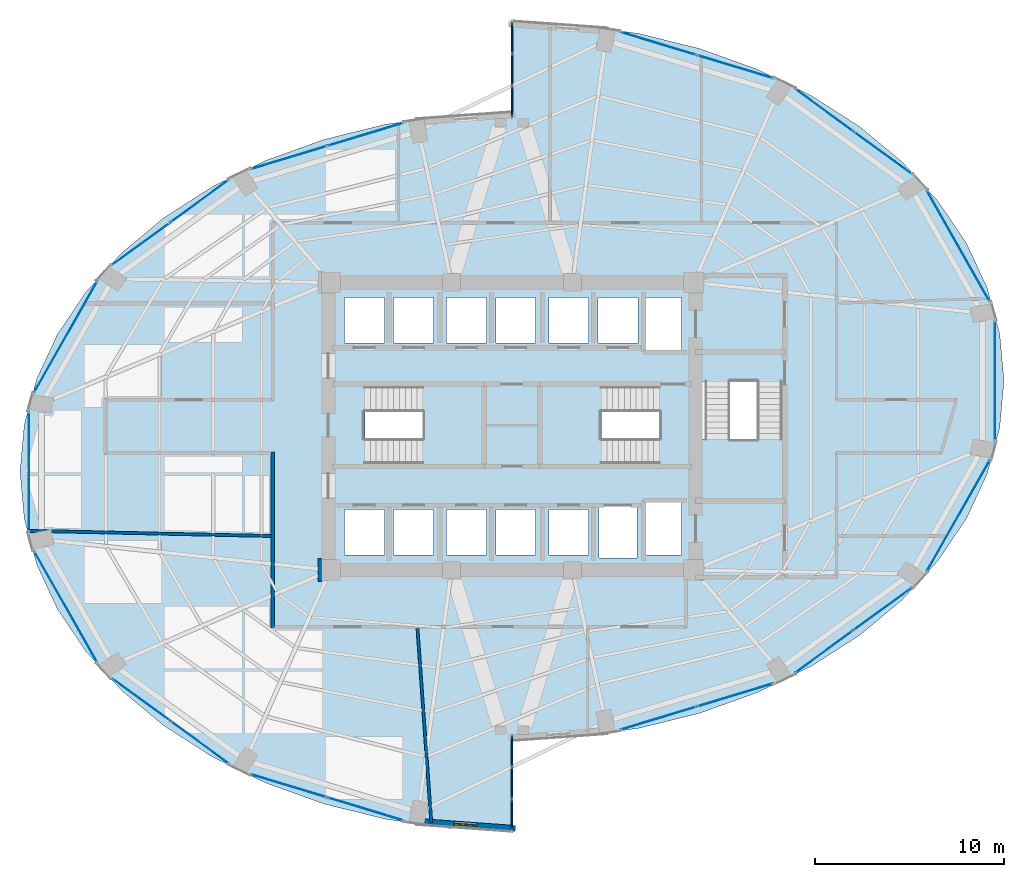
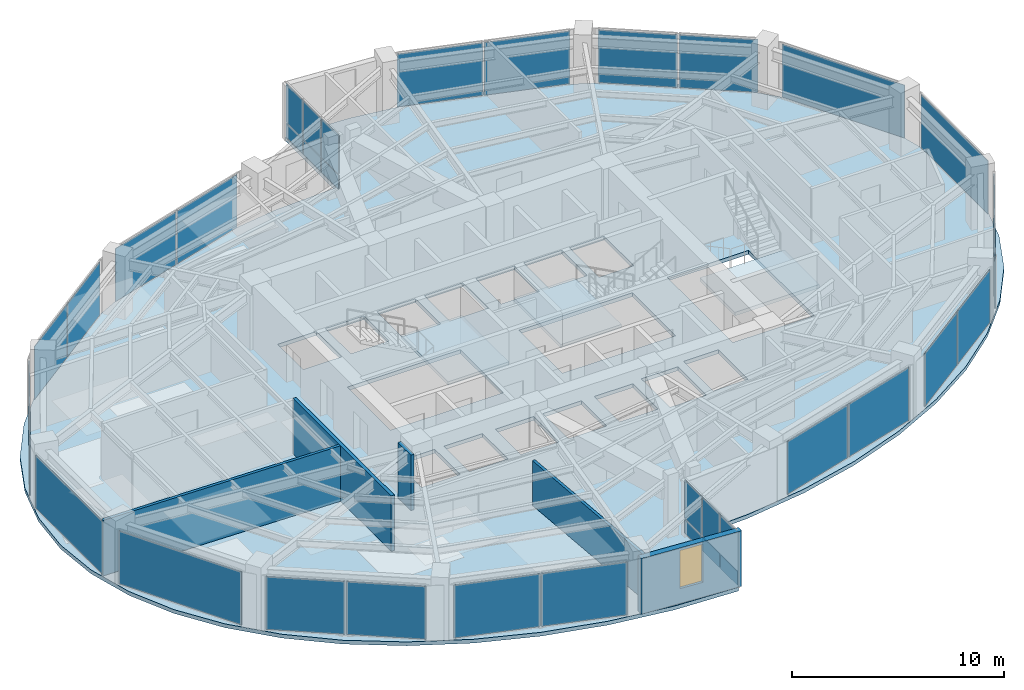
# One storey, part 19 of 24: 34 plates, 5 walls, 4 slabs, 1 window, 1 opening, 19 elements without a shape of their own.
"""IFC4 building model written with IfcOpenShell, lengths in metres."""

from ifc_helpers import new_model, si_unit, direction, frame, frame_2d, origin, origin_2d, place, context, subcontext, project, spatial, polyline, rectangle, outline, extrude, material, layer, layer_set, type_object, element, fill, aggregate, save


model = new_model("IFC4")

# Units and contexts
model_context = context("Model", 3, precision=1e-05, world=origin(), true_north=direction((0.0, 1.0)))
body_context = subcontext(model_context, "Body", "Model", "MODEL_VIEW")
ifc_project = project(units=[si_unit("LENGTHUNIT", "METRE"), si_unit("AREAUNIT", "SQUARE_METRE"), si_unit("VOLUMEUNIT", "CUBIC_METRE"), si_unit("PLANEANGLEUNIT", "RADIAN"), si_unit("MASSUNIT", "GRAM", prefix="KILO")], contexts=[model_context])

# Site, building, storey
site_placement = place(None, origin())
site = spatial("IfcSite", under=ifc_project, at=site_placement, CompositionType="ELEMENT")
building_placement = place(site_placement, origin())
building = spatial("IfcBuilding", under=site, at=building_placement, Name="Lazwardi Medical Tower", CompositionType="ELEMENT")
storey_placement = place(building_placement, frame((0.0, 0.0, 129.16796875)))
storey = spatial("IfcBuildingStorey", under=building, at=storey_placement, Name="L33", CompositionType="ELEMENT", Elevation=129.16796875)

# Curtain wall, plates
ifc_material_1 = material(Name="Anodised bronze aluminium and solar control glazing", Category="aluminium")
ifc_layer_1 = layer(ifc_material_1, 0.195068359375)
ifc_layer_set_1 = layer_set([ifc_layer_1], Name="Anodised bronze aluminium and solar control glazing")
curtain_wall_type_1 = type_object("IfcCurtainWallType", Name="CW-SYS-03", PredefinedType="NOTDEFINED", material=ifc_layer_set_1)
curtain_wall_1_placement = place(storey_placement, origin())
curtain_wall_1 = element("IfcCurtainWall", 1, at=curtain_wall_1_placement, inside=storey, type_object=curtain_wall_type_1, Name="L33 Unitised bronze curtain wall CW-03", PredefinedType="NOTDEFINED")
ifc_material_2 = material(Name="Low-e bronze solar control double glazing", Category="glass")
ifc_layer_2 = layer(ifc_material_2, 0.035888671875)
ifc_layer_set_2 = layer_set([ifc_layer_2], Name="Low-e bronze solar control double glazing")
plate_type_1 = type_object("IfcPlateType", Name="PLT-GLZ-01", PredefinedType="CURTAIN_PANEL", material=ifc_layer_set_2)
plate_1_placement = place(storey_placement, frame((43.73974609375, 12.573486328125, 0.0751953125), z_axis=(0.0, 0.0, 1.0), x_axis=(0.957216170558, 0.28937381157, 0.0)))
plate_1 = element("IfcPlate", 2, at=plate_1_placement, type_object=plate_type_1, Name="CW-03 panel 1.1", PredefinedType="CURTAIN_PANEL", context=body_context, shape_type="SweptSolid", body=[
    extrude(rectangle(XDim=4.16552734375, YDim=0.035888671875, at=origin_2d()), origin(), (0.0, 0.0, 1.0), 3.048095703125),
])
plate_2_placement = place(storey_placement, frame((47.798828125, 13.800537109375, 0.0751953125), z_axis=(0.0, 0.0, 1.0), x_axis=(0.957216170558, 0.28937381157, 0.0)))
plate_2 = element("IfcPlate", 3, at=plate_2_placement, type_object=plate_type_1, Name="CW-03 panel 2.1", PredefinedType="CURTAIN_PANEL", context=body_context, shape_type="SweptSolid", body=[
    extrude(rectangle(XDim=4.16552734375, YDim=0.035888671875, at=origin_2d()), origin(), (0.0, 0.0, 1.0), 3.048095703125),
])
aggregate(curtain_wall_1, [plate_1, plate_2])

curtain_wall_2_placement = place(storey_placement, origin())
curtain_wall_2 = element("IfcCurtainWall", 4, at=curtain_wall_2_placement, inside=storey, type_object=curtain_wall_type_1, Name="L33 Unitised bronze curtain wall CW-03", PredefinedType="NOTDEFINED")
plate_3_placement = place(storey_placement, frame((52.4990234375, 16.093017578125, 0.0751953125), z_axis=(0.0, 0.0, 1.0), x_axis=(0.807745837639, 0.589530882802, 0.0)))
plate_3 = element("IfcPlate", 5, at=plate_3_placement, type_object=plate_type_1, Name="CW-03 panel 1.1", PredefinedType="CURTAIN_PANEL", context=body_context, shape_type="SweptSolid", body=[
    extrude(rectangle(XDim=3.767578125, YDim=0.035888671875, at=origin_2d()), origin(), (0.0, 0.0, 1.0), 3.048095703125),
])
plate_4_placement = place(storey_placement, frame((55.60302734375, 18.3583984375, 0.0751953125), z_axis=(0.0, 0.0, 1.0), x_axis=(0.807745837639, 0.589530882802, 0.0)))
plate_4 = element("IfcPlate", 6, at=plate_4_placement, type_object=plate_type_1, Name="CW-03 panel 2.1", PredefinedType="CURTAIN_PANEL", context=body_context, shape_type="SweptSolid", body=[
    extrude(rectangle(XDim=3.767578125, YDim=0.035888671875, at=origin_2d()), origin(), (0.0, 0.0, 1.0), 3.048095703125),
])
aggregate(curtain_wall_2, [plate_3, plate_4])

# Curtain wall, plate
curtain_wall_3_placement = place(storey_placement, origin())
curtain_wall_3 = element("IfcCurtainWall", 7, at=curtain_wall_3_placement, inside=storey, type_object=curtain_wall_type_1, Name="L33 Unitised bronze curtain wall CW-03", PredefinedType="NOTDEFINED")
plate_5_placement = place(storey_placement, frame((59.5849609375, 23.270263671875, 0.0751953125), z_axis=(0.0, 0.0, 1.0), x_axis=(0.493603140041, 0.869687265712, 0.0)))
plate_5 = element("IfcPlate", 8, at=plate_5_placement, type_object=plate_type_1, Name="CW-03 panel 1.1", PredefinedType="CURTAIN_PANEL", context=body_context, shape_type="SweptSolid", body=[
    extrude(rectangle(XDim=6.722900390625, YDim=0.035888671875, at=origin_2d()), origin(), (0.0, 0.0, 1.0), 3.048095703125),
])
aggregate(curtain_wall_3, [plate_5])

curtain_wall_4_placement = place(storey_placement, origin())
curtain_wall_4 = element("IfcCurtainWall", 9, at=curtain_wall_4_placement, inside=storey, type_object=curtain_wall_type_1, Name="L33 Unitised bronze curtain wall CW-03", PredefinedType="NOTDEFINED")
plate_6_placement = place(storey_placement, frame((61.528076171875, 30.39990234375, 0.0751953125), z_axis=(0.0, 0.0, 1.0), x_axis=(0.0, 1.0, 0.0)))
plate_6 = element("IfcPlate", 10, at=plate_6_placement, type_object=plate_type_1, Name="CW-03 panel 1.1", PredefinedType="CURTAIN_PANEL", context=body_context, shape_type="SweptSolid", body=[
    extrude(rectangle(XDim=6.31982421875, YDim=0.035888671875, at=origin_2d()), origin(), (0.0, 0.0, 1.0), 3.048095703125),
])
aggregate(curtain_wall_4, [plate_6])

curtain_wall_5_placement = place(storey_placement, origin())
curtain_wall_5 = element("IfcCurtainWall", 11, at=curtain_wall_5_placement, inside=storey, type_object=curtain_wall_type_1, Name="L33 Unitised bronze curtain wall CW-03", PredefinedType="NOTDEFINED")
plate_7_placement = place(storey_placement, frame((59.5849609375, 37.52978515625, 0.0751953125), z_axis=(0.0, 0.0, 1.0), x_axis=(-0.493603140041, 0.869687265712, 0.0)))
plate_7 = element("IfcPlate", 12, at=plate_7_placement, type_object=plate_type_1, Name="CW-03 panel 1.1", PredefinedType="CURTAIN_PANEL", context=body_context, shape_type="SweptSolid", body=[
    extrude(rectangle(XDim=6.722900390625, YDim=0.035888671875, at=origin_2d()), origin(), (0.0, 0.0, 1.0), 3.048095703125),
])
aggregate(curtain_wall_5, [plate_7])

# Curtain wall, plates
curtain_wall_6_placement = place(storey_placement, origin())
curtain_wall_6 = element("IfcCurtainWall", 13, at=curtain_wall_6_placement, inside=storey, type_object=curtain_wall_type_1, Name="L33 Unitised bronze curtain wall CW-03", PredefinedType="NOTDEFINED")
plate_8_placement = place(storey_placement, frame((55.60302734375, 42.441650390625, 0.0751953125), z_axis=(0.0, 0.0, 1.0), x_axis=(-0.807745837639, 0.589530882802, 0.0)))
plate_8 = element("IfcPlate", 14, at=plate_8_placement, type_object=plate_type_1, Name="CW-03 panel 1.1", PredefinedType="CURTAIN_PANEL", context=body_context, shape_type="SweptSolid", body=[
    extrude(rectangle(XDim=3.767578125, YDim=0.035888671875, at=origin_2d()), origin(), (0.0, 0.0, 1.0), 3.048095703125),
])
plate_9_placement = place(storey_placement, frame((52.4990234375, 44.70703125, 0.0751953125), z_axis=(0.0, 0.0, 1.0), x_axis=(-0.807745837639, 0.589530882802, 0.0)))
plate_9 = element("IfcPlate", 15, at=plate_9_placement, type_object=plate_type_1, Name="CW-03 panel 2.1", PredefinedType="CURTAIN_PANEL", context=body_context, shape_type="SweptSolid", body=[
    extrude(rectangle(XDim=3.767578125, YDim=0.035888671875, at=origin_2d()), origin(), (0.0, 0.0, 1.0), 3.048095703125),
])
aggregate(curtain_wall_6, [plate_8, plate_9])

curtain_wall_7_placement = place(storey_placement, origin())
curtain_wall_7 = element("IfcCurtainWall", 16, at=curtain_wall_7_placement, inside=storey, type_object=curtain_wall_type_1, Name="L33 Unitised bronze curtain wall CW-03", PredefinedType="NOTDEFINED")
plate_10_placement = place(storey_placement, frame((47.798828125, 46.99951171875, 0.0751953125), z_axis=(0.0, 0.0, 1.0), x_axis=(-0.957216170558, 0.28937381157, 0.0)))
plate_10 = element("IfcPlate", 17, at=plate_10_placement, type_object=plate_type_1, Name="CW-03 panel 1.1", PredefinedType="CURTAIN_PANEL", context=body_context, shape_type="SweptSolid", body=[
    extrude(rectangle(XDim=4.16552734375, YDim=0.035888671875, at=origin_2d()), origin(), (0.0, 0.0, 1.0), 3.048095703125),
])
plate_11_placement = place(storey_placement, frame((43.73974609375, 48.2265625, 0.0751953125), z_axis=(0.0, 0.0, 1.0), x_axis=(-0.957216170558, 0.28937381157, 0.0)))
plate_11 = element("IfcPlate", 18, at=plate_11_placement, type_object=plate_type_1, Name="CW-03 panel 2.1", PredefinedType="CURTAIN_PANEL", context=body_context, shape_type="SweptSolid", body=[
    extrude(rectangle(XDim=4.16552734375, YDim=0.035888671875, at=origin_2d()), origin(), (0.0, 0.0, 1.0), 3.048095703125),
])
aggregate(curtain_wall_7, [plate_10, plate_11])

curtain_wall_8_placement = place(storey_placement, origin())
curtain_wall_8 = element("IfcCurtainWall", 19, at=curtain_wall_8_placement, inside=storey, type_object=curtain_wall_type_1, Name="L33 Unitised bronze curtain wall CW-03", PredefinedType="NOTDEFINED")
plate_12_placement = place(storey_placement, frame((28.26025390625, 43.426513671875, 0.0751953125), z_axis=(0.0, 0.0, 1.0), x_axis=(-0.957216170558, -0.28937381157, 0.0)))
plate_12 = element("IfcPlate", 20, at=plate_12_placement, type_object=plate_type_1, Name="CW-03 panel 1.1", PredefinedType="CURTAIN_PANEL", context=body_context, shape_type="SweptSolid", body=[
    extrude(rectangle(XDim=4.16552734375, YDim=0.035888671875, at=origin_2d()), origin(), (0.0, 0.0, 1.0), 3.048095703125),
])
plate_13_placement = place(storey_placement, frame((24.201171875, 42.199462890625, 0.0751953125), z_axis=(0.0, 0.0, 1.0), x_axis=(-0.957216170558, -0.28937381157, 0.0)))
plate_13 = element("IfcPlate", 21, at=plate_13_placement, type_object=plate_type_1, Name="CW-03 panel 2.1", PredefinedType="CURTAIN_PANEL", context=body_context, shape_type="SweptSolid", body=[
    extrude(rectangle(XDim=4.16552734375, YDim=0.035888671875, at=origin_2d()), origin(), (0.0, 0.0, 1.0), 3.048095703125),
])
aggregate(curtain_wall_8, [plate_12, plate_13])

curtain_wall_9_placement = place(storey_placement, origin())
curtain_wall_9 = element("IfcCurtainWall", 22, at=curtain_wall_9_placement, inside=storey, type_object=curtain_wall_type_1, Name="L33 Unitised bronze curtain wall CW-03", PredefinedType="NOTDEFINED")
plate_14_placement = place(storey_placement, frame((19.5009765625, 39.906982421875, 0.0751953125), z_axis=(0.0, 0.0, 1.0), x_axis=(-0.807745837639, -0.589530882802, 0.0)))
plate_14 = element("IfcPlate", 23, at=plate_14_placement, type_object=plate_type_1, Name="CW-03 panel 1.1", PredefinedType="CURTAIN_PANEL", context=body_context, shape_type="SweptSolid", body=[
    extrude(rectangle(XDim=3.767578125, YDim=0.035888671875, at=origin_2d()), origin(), (0.0, 0.0, 1.0), 3.048095703125),
])
plate_15_placement = place(storey_placement, frame((16.39697265625, 37.6416015625, 0.0751953125), z_axis=(0.0, 0.0, 1.0), x_axis=(-0.807745837639, -0.589530882802, 0.0)))
plate_15 = element("IfcPlate", 24, at=plate_15_placement, type_object=plate_type_1, Name="CW-03 panel 2.1", PredefinedType="CURTAIN_PANEL", context=body_context, shape_type="SweptSolid", body=[
    extrude(rectangle(XDim=3.767578125, YDim=0.035888671875, at=origin_2d()), origin(), (0.0, 0.0, 1.0), 3.048095703125),
])
aggregate(curtain_wall_9, [plate_14, plate_15])

# Curtain wall, plate
curtain_wall_10_placement = place(storey_placement, origin())
curtain_wall_10 = element("IfcCurtainWall", 25, at=curtain_wall_10_placement, inside=storey, type_object=curtain_wall_type_1, Name="L33 Unitised bronze curtain wall CW-03", PredefinedType="NOTDEFINED")
plate_16_placement = place(storey_placement, frame((12.4150390625, 32.729736328125, 0.0751953125), z_axis=(0.0, 0.0, 1.0), x_axis=(-0.493603140041, -0.869687265712, 0.0)))
plate_16 = element("IfcPlate", 26, at=plate_16_placement, type_object=plate_type_1, Name="CW-03 panel 1.1", PredefinedType="CURTAIN_PANEL", context=body_context, shape_type="SweptSolid", body=[
    extrude(rectangle(XDim=6.722900390625, YDim=0.035888671875, at=origin_2d()), origin(), (0.0, 0.0, 1.0), 3.048095703125),
])
aggregate(curtain_wall_10, [plate_16])

curtain_wall_11_placement = place(storey_placement, origin())
curtain_wall_11 = element("IfcCurtainWall", 27, at=curtain_wall_11_placement, inside=storey, type_object=curtain_wall_type_1, Name="L33 Unitised bronze curtain wall CW-03", PredefinedType="NOTDEFINED")
plate_17_placement = place(storey_placement, frame((10.471923828125, 25.60009765625, 0.0751953125), z_axis=(0.0, 0.0, 1.0), x_axis=(0.0, -1.0, 0.0)))
plate_17 = element("IfcPlate", 28, at=plate_17_placement, type_object=plate_type_1, Name="CW-03 panel 1.1", PredefinedType="CURTAIN_PANEL", context=body_context, shape_type="SweptSolid", body=[
    extrude(rectangle(XDim=6.31982421875, YDim=0.035888671875, at=origin_2d()), origin(), (0.0, 0.0, 1.0), 3.048095703125),
])
aggregate(curtain_wall_11, [plate_17])

curtain_wall_12_placement = place(storey_placement, origin())
curtain_wall_12 = element("IfcCurtainWall", 29, at=curtain_wall_12_placement, inside=storey, type_object=curtain_wall_type_1, Name="L33 Unitised bronze curtain wall CW-03", PredefinedType="NOTDEFINED")
plate_18_placement = place(storey_placement, frame((12.4150390625, 18.47021484375, 0.0751953125), z_axis=(0.0, 0.0, 1.0), x_axis=(0.493603140041, -0.869687265712, 0.0)))
plate_18 = element("IfcPlate", 30, at=plate_18_placement, type_object=plate_type_1, Name="CW-03 panel 1.1", PredefinedType="CURTAIN_PANEL", context=body_context, shape_type="SweptSolid", body=[
    extrude(rectangle(XDim=6.722900390625, YDim=0.035888671875, at=origin_2d()), origin(), (0.0, 0.0, 1.0), 3.048095703125),
])
aggregate(curtain_wall_12, [plate_18])

# Curtain wall, plates
curtain_wall_13_placement = place(storey_placement, origin())
curtain_wall_13 = element("IfcCurtainWall", 31, at=curtain_wall_13_placement, inside=storey, type_object=curtain_wall_type_1, Name="L33 Unitised bronze curtain wall CW-03", PredefinedType="NOTDEFINED")
plate_19_placement = place(storey_placement, frame((16.39697265625, 13.558349609375, 0.0751953125), z_axis=(0.0, 0.0, 1.0), x_axis=(0.807745837639, -0.589530882802, 0.0)))
plate_19 = element("IfcPlate", 32, at=plate_19_placement, type_object=plate_type_1, Name="CW-03 panel 1.1", PredefinedType="CURTAIN_PANEL", context=body_context, shape_type="SweptSolid", body=[
    extrude(rectangle(XDim=3.767578125, YDim=0.035888671875, at=origin_2d()), origin(), (0.0, 0.0, 1.0), 3.048095703125),
])
plate_20_placement = place(storey_placement, frame((19.5009765625, 11.29296875, 0.0751953125), z_axis=(0.0, 0.0, 1.0), x_axis=(0.807745837639, -0.589530882802, 0.0)))
plate_20 = element("IfcPlate", 33, at=plate_20_placement, type_object=plate_type_1, Name="CW-03 panel 2.1", PredefinedType="CURTAIN_PANEL", context=body_context, shape_type="SweptSolid", body=[
    extrude(rectangle(XDim=3.767578125, YDim=0.035888671875, at=origin_2d()), origin(), (0.0, 0.0, 1.0), 3.048095703125),
])
aggregate(curtain_wall_13, [plate_19, plate_20])

curtain_wall_14_placement = place(storey_placement, origin())
curtain_wall_14 = element("IfcCurtainWall", 34, at=curtain_wall_14_placement, inside=storey, type_object=curtain_wall_type_1, Name="L33 Unitised bronze curtain wall CW-03", PredefinedType="NOTDEFINED")
plate_21_placement = place(storey_placement, frame((24.201171875, 9.00048828125, 0.0751953125), z_axis=(0.0, 0.0, 1.0), x_axis=(0.957216170558, -0.28937381157, 0.0)))
plate_21 = element("IfcPlate", 35, at=plate_21_placement, type_object=plate_type_1, Name="CW-03 panel 1.1", PredefinedType="CURTAIN_PANEL", context=body_context, shape_type="SweptSolid", body=[
    extrude(rectangle(XDim=4.16552734375, YDim=0.035888671875, at=origin_2d()), origin(), (0.0, 0.0, 1.0), 3.048095703125),
])
plate_22_placement = place(storey_placement, frame((28.26025390625, 7.7734375, 0.0751953125), z_axis=(0.0, 0.0, 1.0), x_axis=(0.957216170558, -0.28937381157, 0.0)))
plate_22 = element("IfcPlate", 36, at=plate_22_placement, type_object=plate_type_1, Name="CW-03 panel 2.1", PredefinedType="CURTAIN_PANEL", context=body_context, shape_type="SweptSolid", body=[
    extrude(rectangle(XDim=4.16552734375, YDim=0.035888671875, at=origin_2d()), origin(), (0.0, 0.0, 1.0), 3.048095703125),
])
aggregate(curtain_wall_14, [plate_21, plate_22])

ifc_layer_3 = layer(ifc_material_1, 0.2099609375)
ifc_layer_set_3 = layer_set([ifc_layer_3], Name="Anodised bronze aluminium and solar control glazing")
curtain_wall_type_2 = type_object("IfcCurtainWallType", Name="CW-SYS-06", PredefinedType="NOTDEFINED", material=ifc_layer_set_3)
curtain_wall_15_placement = place(storey_placement, origin())
curtain_wall_15 = element("IfcCurtainWall", 37, at=curtain_wall_15_placement, inside=storey, type_object=curtain_wall_type_2, Name="L33 Unitised bronze curtain wall CW-06", PredefinedType="NOTDEFINED")
ifc_material_3 = material(Name="Turquoise glazed ceramic insulated panel", Category="glass")
ifc_layer_4 = layer(ifc_material_3, 0.053955078125)
ifc_layer_set_4 = layer_set([ifc_layer_4], Name="Turquoise glazed ceramic insulated panel")
plate_type_2 = type_object("IfcPlateType", Name="PLT-TRQ-01", PredefinedType="CURTAIN_PANEL", material=ifc_layer_set_4)
plate_23_placement = place(storey_placement, frame((36.0, 48.52783203125, 0.074951171875), z_axis=(0.0, 0.0, 1.0), x_axis=(0.0, -1.0, 0.0)))
plate_23 = element("IfcPlate", 38, at=plate_23_placement, type_object=plate_type_2, Name="CW-06 panel 1.1", PredefinedType="CURTAIN_PANEL", context=body_context, shape_type="SweptSolid", body=[
    extrude(rectangle(XDim=1.59423828125, YDim=0.053955078125, at=origin_2d()), origin(), (0.0, 0.0, 1.0), 0.78759765625),
])
plate_24_placement = place(storey_placement, frame((36.0, 48.52783203125, 0.9375), z_axis=(0.0, 0.0, 1.0), x_axis=(0.0, -1.0, 0.0)))
plate_24 = element("IfcPlate", 39, at=plate_24_placement, type_object=plate_type_2, Name="CW-06 panel 1.2", PredefinedType="CURTAIN_PANEL", context=body_context, shape_type="SweptSolid", body=[
    extrude(rectangle(XDim=1.59423828125, YDim=0.053955078125, at=origin_2d()), origin(), (0.0, 0.0, 1.0), 2.185546875),
])
plate_25_placement = place(storey_placement, frame((36.0, 46.840087890625, 0.074951171875), z_axis=(0.0, 0.0, 1.0), x_axis=(0.0, -1.0, 0.0)))
plate_25 = element("IfcPlate", 40, at=plate_25_placement, type_object=plate_type_2, Name="CW-06 panel 2.1", PredefinedType="CURTAIN_PANEL", context=body_context, shape_type="SweptSolid", body=[
    extrude(rectangle(XDim=1.631591796875, YDim=0.053955078125, at=origin_2d()), origin(), (0.0, 0.0, 1.0), 0.78759765625),
])
plate_26_placement = place(storey_placement, frame((36.0, 46.840087890625, 0.9375), z_axis=(0.0, 0.0, 1.0), x_axis=(0.0, -1.0, 0.0)))
plate_26 = element("IfcPlate", 41, at=plate_26_placement, type_object=plate_type_2, Name="CW-06 panel 2.2", PredefinedType="CURTAIN_PANEL", context=body_context, shape_type="SweptSolid", body=[
    extrude(rectangle(XDim=1.631591796875, YDim=0.053955078125, at=origin_2d()), origin(), (0.0, 0.0, 1.0), 2.185546875),
])
plate_27_placement = place(storey_placement, frame((36.0, 45.152099609375, 0.074951171875), z_axis=(0.0, 0.0, 1.0), x_axis=(0.0, -1.0, 0.0)))
plate_27 = element("IfcPlate", 42, at=plate_27_placement, type_object=plate_type_2, Name="CW-06 panel 3.1", PredefinedType="CURTAIN_PANEL", context=body_context, shape_type="SweptSolid", body=[
    extrude(rectangle(XDim=1.59423828125, YDim=0.053955078125, at=origin_2d()), origin(), (0.0, 0.0, 1.0), 0.78759765625),
])
plate_28_placement = place(storey_placement, frame((36.0, 45.152099609375, 0.9375), z_axis=(0.0, 0.0, 1.0), x_axis=(0.0, -1.0, 0.0)))
plate_28 = element("IfcPlate", 43, at=plate_28_placement, type_object=plate_type_2, Name="CW-06 panel 3.2", PredefinedType="CURTAIN_PANEL", context=body_context, shape_type="SweptSolid", body=[
    extrude(rectangle(XDim=1.59423828125, YDim=0.053955078125, at=origin_2d()), origin(), (0.0, 0.0, 1.0), 2.185546875),
])
aggregate(curtain_wall_15, [plate_23, plate_24, plate_25, plate_26, plate_27, plate_28])

curtain_wall_16_placement = place(storey_placement, origin())
curtain_wall_16 = element("IfcCurtainWall", 44, at=curtain_wall_16_placement, inside=storey, type_object=curtain_wall_type_2, Name="L33 Unitised bronze curtain wall CW-06", PredefinedType="NOTDEFINED")
plate_29_placement = place(storey_placement, frame((36.0, 7.47216796875, 0.074951171875), z_axis=(0.0, 0.0, 1.0), x_axis=(0.0, 1.0, 0.0)))
plate_29 = element("IfcPlate", 45, at=plate_29_placement, type_object=plate_type_2, Name="CW-06 panel 1.1", PredefinedType="CURTAIN_PANEL", context=body_context, shape_type="SweptSolid", body=[
    extrude(rectangle(XDim=1.59423828125, YDim=0.053955078125, at=origin_2d()), origin(), (0.0, 0.0, 1.0), 0.78759765625),
])
plate_30_placement = place(storey_placement, frame((36.0, 7.47216796875, 0.9375), z_axis=(0.0, 0.0, 1.0), x_axis=(0.0, 1.0, 0.0)))
plate_30 = element("IfcPlate", 46, at=plate_30_placement, type_object=plate_type_2, Name="CW-06 panel 1.2", PredefinedType="CURTAIN_PANEL", context=body_context, shape_type="SweptSolid", body=[
    extrude(rectangle(XDim=1.59423828125, YDim=0.053955078125, at=origin_2d()), origin(), (0.0, 0.0, 1.0), 2.185546875),
])
plate_31_placement = place(storey_placement, frame((36.0, 9.159912109375, 0.074951171875), z_axis=(0.0, 0.0, 1.0), x_axis=(0.0, 1.0, 0.0)))
plate_31 = element("IfcPlate", 47, at=plate_31_placement, type_object=plate_type_2, Name="CW-06 panel 2.1", PredefinedType="CURTAIN_PANEL", context=body_context, shape_type="SweptSolid", body=[
    extrude(rectangle(XDim=1.631591796875, YDim=0.053955078125, at=origin_2d()), origin(), (0.0, 0.0, 1.0), 0.78759765625),
])
plate_32_placement = place(storey_placement, frame((36.0, 9.159912109375, 0.9375), z_axis=(0.0, 0.0, 1.0), x_axis=(0.0, 1.0, 0.0)))
plate_32 = element("IfcPlate", 48, at=plate_32_placement, type_object=plate_type_2, Name="CW-06 panel 2.2", PredefinedType="CURTAIN_PANEL", context=body_context, shape_type="SweptSolid", body=[
    extrude(rectangle(XDim=1.631591796875, YDim=0.053955078125, at=origin_2d()), origin(), (0.0, 0.0, 1.0), 2.185546875),
])
plate_33_placement = place(storey_placement, frame((36.0, 10.847900390625, 0.074951171875), z_axis=(0.0, 0.0, 1.0), x_axis=(0.0, 1.0, 0.0)))
plate_33 = element("IfcPlate", 49, at=plate_33_placement, type_object=plate_type_2, Name="CW-06 panel 3.1", PredefinedType="CURTAIN_PANEL", context=body_context, shape_type="SweptSolid", body=[
    extrude(rectangle(XDim=1.59423828125, YDim=0.053955078125, at=origin_2d()), origin(), (0.0, 0.0, 1.0), 0.78759765625),
])
plate_34_placement = place(storey_placement, frame((36.0, 10.847900390625, 0.9375), z_axis=(0.0, 0.0, 1.0), x_axis=(0.0, 1.0, 0.0)))
plate_34 = element("IfcPlate", 50, at=plate_34_placement, type_object=plate_type_2, Name="CW-06 panel 3.2", PredefinedType="CURTAIN_PANEL", context=body_context, shape_type="SweptSolid", body=[
    extrude(rectangle(XDim=1.59423828125, YDim=0.053955078125, at=origin_2d()), origin(), (0.0, 0.0, 1.0), 2.185546875),
])
aggregate(curtain_wall_16, [plate_29, plate_30, plate_31, plate_32, plate_33, plate_34])

# Stair, slab
ifc_material_4 = material(Name="Concrete C45/55", Category="concrete")
stair_type = type_object("IfcStairType", Name="STR-WRD", PredefinedType="HALF_TURN_STAIR", material=ifc_material_4)
stair_1_placement = place(storey_placement, origin())
stair_1 = element("IfcStair", 51, at=stair_1_placement, inside=storey, type_object=stair_type, Name="L33 Protected Exit Stair ST1", PredefinedType="HALF_TURN_STAIR")
ifc_layer_5 = layer(ifc_material_4, 0.199951171875)
ifc_layer_set_5 = layer_set([ifc_layer_5], Name="Concrete C45/55")
slab_type_1 = type_object("IfcSlabType", Name="SLB-LND-190", PredefinedType="LANDING", material=ifc_layer_set_5)
slab_1_placement = place(storey_placement, frame((0.0, 0.0, 1.6240234375)))
slab_1 = element("IfcSlab", 52, at=slab_1_placement, type_object=slab_type_1, Name="ST1 landing 1", PredefinedType="LANDING", context=body_context, shape_type="SweptSolid", body=[
    extrude(outline(polyline([(31.27490234375, 25.840087890625), (34.580078125, 25.840087890625), (34.580078125, 30.280029296875), (31.27490234375, 30.280029296875), (31.27490234375, 25.840087890625)])), origin(), (0.0, 0.0, 1.0), 0.199951171875),
])
aggregate(stair_1, [slab_1])

stair_2_placement = place(storey_placement, origin())
stair_2 = element("IfcStair", 53, at=stair_2_placement, inside=storey, type_object=stair_type, Name="L33 Protected Exit Stair ST2", PredefinedType="HALF_TURN_STAIR")
slab_2_placement = place(storey_placement, frame((0.0, 0.0, 1.6240234375)))
slab_2 = element("IfcSlab", 54, at=slab_2_placement, type_object=slab_type_1, Name="ST2 landing 1", PredefinedType="LANDING", context=body_context, shape_type="SweptSolid", body=[
    extrude(outline(polyline([(40.72509765625, 30.280029296875), (37.419921875, 30.280029296875), (37.419921875, 25.840087890625), (40.72509765625, 25.840087890625), (40.72509765625, 30.280029296875)])), origin(), (0.0, 0.0, 1.0), 0.199951171875),
])
aggregate(stair_2, [slab_2])

stair_3_placement = place(storey_placement, origin())
stair_3 = element("IfcStair", 55, at=stair_3_placement, inside=storey, type_object=stair_type, Name="L33 Protected Exit Stair ST3", PredefinedType="HALF_TURN_STAIR")
slab_3_placement = place(storey_placement, frame((0.0, 0.0, 1.6240234375)))
slab_3 = element("IfcSlab", 56, at=slab_3_placement, type_object=slab_type_1, Name="ST3 landing 1", PredefinedType="LANDING", context=body_context, shape_type="SweptSolid", body=[
    extrude(outline(polyline([(45.860107421875, 27.324951171875), (45.860107421875, 24.02001953125), (50.4599609375, 24.02001953125), (50.4599609375, 27.324951171875), (45.860107421875, 27.324951171875)])), origin(), (0.0, 0.0, 1.0), 0.199951171875),
])
aggregate(stair_3, [slab_3])

# Slab
ifc_material_5 = material(Name="Concrete C50/60", Category="concrete")
ifc_layer_6 = layer(ifc_material_5, 0.219970703125)
ifc_layer_set_6 = layer_set([ifc_layer_6], Name="Concrete C50/60")
slab_type_2 = type_object("IfcSlabType", Name="SLB-WRD-220", PredefinedType="FLOOR", material=ifc_layer_set_6)
slab_4_placement = place(storey_placement, frame((0.0, 0.0, -0.219970703125)))
element("IfcSlab", 57, at=slab_4_placement, inside=storey, type_object=slab_type_2, Name="Structural floor slab SF-03 L33", PredefinedType="FLOOR", context=body_context, shape_type="SweptSolid", body=[
    extrude(outline(polyline([(11.97900390625, 32.87109375), (10.885986328125, 30.517578125), (10.222412109375, 28.080078125), (10.0, 25.60009765625), (10.222412109375, 23.1201171875), (10.885986328125, 20.682373046875), (11.97900390625, 18.3291015625), (13.4833984375, 16.10009765625), (15.372802734375, 14.033447265625), (17.615234375, 12.1650390625), (20.172119140625, 10.5263671875), (23.0, 9.1455078125), (26.05029296875, 8.04638671875), (29.270751953125, 7.247314453125), (32.606201171875, 6.762451171875), (36.0, 6.60009765625), (36.0, 11.39990234375), (39.393798828125, 11.5625), (42.729248046875, 12.04736328125), (45.94970703125, 12.84619140625), (49.0, 13.945556640625), (51.827880859375, 15.326416015625), (54.384765625, 16.965087890625), (56.627197265625, 18.83349609375), (58.5166015625, 20.89990234375), (60.02099609375, 23.12890625), (61.114013671875, 25.482421875), (61.777587890625, 27.919921875), (62.0, 30.39990234375), (61.777587890625, 32.8798828125), (61.114013671875, 35.317626953125), (60.02099609375, 37.6708984375), (58.5166015625, 39.89990234375), (56.627197265625, 41.966552734375), (54.384765625, 43.8349609375), (51.827880859375, 45.4736328125), (49.0, 46.8544921875), (45.94970703125, 47.95361328125), (42.729248046875, 48.752685546875), (39.393798828125, 49.237548828125), (36.0, 49.39990234375), (36.0, 44.60009765625), (32.606201171875, 44.4375), (29.270751953125, 43.95263671875), (26.05029296875, 43.15380859375), (23.0, 42.054443359375), (20.172119140625, 40.673583984375), (17.615234375, 39.034912109375), (15.372802734375, 37.16650390625), (13.4833984375, 35.10009765625), (11.97900390625, 32.87109375)]), holes=[polyline([(28.22509765625, 26.02001953125), (28.22509765625, 30.10009765625), (34.39990234375, 30.10009765625), (34.39990234375, 26.02001953125), (28.22509765625, 26.02001953125)]), polyline([(37.60009765625, 30.10009765625), (43.77490234375, 30.10009765625), (43.77490234375, 26.02001953125), (37.60009765625, 26.02001953125), (37.60009765625, 30.10009765625)]), polyline([(50.280029296875, 30.375), (50.280029296875, 24.179931640625), (45.840087890625, 24.179931640625), (45.840087890625, 30.375), (50.280029296875, 30.375)]), polyline([(29.25, 32.39990234375), (27.14990234375, 32.39990234375), (27.14990234375, 34.800048828125), (29.25, 34.800048828125), (29.25, 32.39990234375)]), polyline([(29.75, 32.39990234375), (29.75, 34.800048828125), (31.85009765625, 34.800048828125), (31.85009765625, 32.39990234375), (29.75, 32.39990234375)]), polyline([(27.14990234375, 23.60009765625), (29.25, 23.60009765625), (29.25, 21.199951171875), (27.14990234375, 21.199951171875), (27.14990234375, 23.60009765625)]), polyline([(31.85009765625, 23.60009765625), (31.85009765625, 21.199951171875), (29.75, 21.199951171875), (29.75, 23.60009765625), (31.85009765625, 23.60009765625)]), polyline([(34.64990234375, 32.39990234375), (32.550048828125, 32.39990234375), (32.550048828125, 34.800048828125), (34.64990234375, 34.800048828125), (34.64990234375, 32.39990234375)]), polyline([(35.14990234375, 32.39990234375), (35.14990234375, 34.800048828125), (37.25, 34.800048828125), (37.25, 32.39990234375), (35.14990234375, 32.39990234375)]), polyline([(32.550048828125, 23.60009765625), (34.64990234375, 23.60009765625), (34.64990234375, 21.199951171875), (32.550048828125, 21.199951171875), (32.550048828125, 23.60009765625)]), polyline([(37.25, 23.60009765625), (37.25, 21.199951171875), (35.14990234375, 21.199951171875), (35.14990234375, 23.60009765625), (37.25, 23.60009765625)]), polyline([(40.050048828125, 32.39990234375), (37.949951171875, 32.39990234375), (37.949951171875, 34.800048828125), (40.050048828125, 34.800048828125), (40.050048828125, 32.39990234375)]), polyline([(40.550048828125, 32.39990234375), (40.550048828125, 34.800048828125), (42.64990234375, 34.800048828125), (42.64990234375, 32.39990234375), (40.550048828125, 32.39990234375)]), polyline([(37.949951171875, 23.60009765625), (40.050048828125, 23.60009765625), (40.050048828125, 21.199951171875), (37.949951171875, 21.199951171875), (37.949951171875, 23.60009765625)]), polyline([(44.949951171875, 34.800048828125), (44.949951171875, 32.0), (43.050048828125, 32.0), (43.050048828125, 34.800048828125), (44.949951171875, 34.800048828125)]), polyline([(44.949951171875, 21.199951171875), (43.050048828125, 21.199951171875), (43.050048828125, 24.0), (44.949951171875, 24.0), (44.949951171875, 21.199951171875)]), polyline([(40.60009765625, 21.050048828125), (40.60009765625, 23.75), (42.60009765625, 23.75), (42.60009765625, 21.050048828125), (40.60009765625, 21.050048828125)])]), origin(), (0.0, 0.0, 1.0), 0.219970703125),
])

# Walls
ifc_material_6 = material(Name="Fire-rated gypsum board on steel stud", Category="steel")
ifc_layer_7 = layer(ifc_material_6, 0.179931640625)
ifc_layer_set_7 = layer_set([ifc_layer_7], Name="Fire-rated gypsum board on steel stud")
wall_type_1 = type_object("IfcWallType", Name="WL-COR-180", PredefinedType="PARTITIONING", material=ifc_layer_set_7)
wall_1_placement = place(storey_placement, frame((25.830078125, 21.010009765625, 0.0), z_axis=(0.0, 0.0, 1.0), x_axis=(0.0, -1.0, 0.0)))
element("IfcWall", 58, at=wall_1_placement, inside=storey, type_object=wall_type_1, Name="L33 Corridor partition 12", PredefinedType="PARTITIONING", context=body_context, shape_type="SweptSolid", body=[
    extrude(rectangle(XDim=1.219970703125, YDim=0.179931640625, at=frame_2d((0.60986328125, 0.0))), origin(), (0.0, 0.0, 1.0), 3.197998046875),
])
wall_2_placement = place(storey_placement, frame((23.35009765625, 17.360107421875, 0.0), z_axis=(0.0, 0.0, 1.0), x_axis=(0.0, 1.0, 0.0)))
element("IfcWall", 59, at=wall_2_placement, inside=storey, type_object=wall_type_1, Name="L33 Corridor partition 15", PredefinedType="PARTITIONING", context=body_context, shape_type="SweptSolid", body=[
    extrude(rectangle(XDim=9.27978515625, YDim=0.179931640625, at=frame_2d((4.639892578125, 0.0))), origin(), (0.0, 0.0, 1.0), 3.197998046875),
])

# Wall, opening, window
ifc_material_7 = material(Name="Precast concrete C45/55", Category="concrete")
ifc_layer_8 = layer(ifc_material_7, 0.320068359375)
ifc_layer_set_8 = layer_set([ifc_layer_8], Name="Precast concrete C45/55")
wall_type_2 = type_object("IfcWallType", Name="WL-IWAN-320", PredefinedType="SOLIDWALL", material=ifc_layer_set_8)
wall_3_placement = place(storey_placement, frame((30.908935546875, 7.12548828125, 0.0), z_axis=(0.0, 0.0, 1.0), x_axis=(0.997431890304, -0.071621394884, 0.0)))
wall_3 = element("IfcWall", 60, at=wall_3_placement, inside=storey, type_object=wall_type_2, Name="L33 Iwan Portal Return Wall SW_ret", PredefinedType="SOLIDWALL", context=body_context, shape_type="SweptSolid", body=[
    extrude(rectangle(XDim=5.28369140625, YDim=0.320068359375, at=frame_2d((2.641845703125, 0.0))), origin(), (0.0, 0.0, 1.0), 3.197998046875),
])
opening_placement = place(wall_3_placement, frame((2.041748046875, 0.0, 0.85009765625)))
opening = element("IfcOpeningElement", 61, at=opening_placement, cuts=wall_3, Name="Opening WN-01", PredefinedType="OPENING", context=body_context, shape_type="SweptSolid", body=[
    extrude(rectangle(XDim=1.199951171875, YDim=2.199951171875, at=frame_2d((0.60009765625, 1.10009765625))), frame((0.0, 0.169921875, 0.0), z_axis=(0.0, -1.0, 0.0), x_axis=(1.0, 0.0, 0.0)), (0.0, 0.0, 1.0), 0.340087890625),
])
window_type = type_object("IfcWindowType", Name="WIN-IW-1200", PartitioningType="SINGLE_PANEL", PredefinedType="WINDOW", material=ifc_material_2)
window_placement = place(opening_placement, origin())
window = element("IfcWindow", 62, at=window_placement, inside=storey, type_object=window_type, Name="L33 Iwan Slot Window SW_ret", OverallHeight=2.199951171875, OverallWidth=1.199951171875, PartitioningType="SINGLE_PANEL", PredefinedType="WINDOW", context=body_context, shape_type="SweptSolid", body=[
    extrude(rectangle(XDim=1.199951171875, YDim=2.199951171875, at=frame_2d((0.60009765625, 1.10009765625))), frame((0.0, 0.030029296875, 0.0), z_axis=(0.0, -1.0, 0.0), x_axis=(1.0, 0.0, 0.0)), (0.0, 0.0, 1.0), 0.06005859375),
])
fill(opening, window)

# Walls
ifc_material_8 = material(Name="Acoustic gypsum board partition")
ifc_layer_9 = layer(ifc_material_8, 0.14990234375)
ifc_layer_set_9 = layer_set([ifc_layer_9], Name="Acoustic gypsum board partition")
wall_type_3 = type_object("IfcWallType", Name="WL-WRD-150", PredefinedType="PARTITIONING", material=ifc_layer_set_9)
wall_4_placement = place(storey_placement, frame((10.46533203125, 22.47900390625, 0.0), z_axis=(0.0, 0.0, 1.0), x_axis=(0.999765147572, -0.021671402821, 0.0)))
element("IfcWall", 63, at=wall_4_placement, inside=storey, type_object=wall_type_3, Name="L33 Room partition 1", PredefinedType="PARTITIONING", context=body_context, shape_type="SweptSolid", body=[
    extrude(rectangle(XDim=12.797607421875, YDim=0.14990234375, at=frame_2d((6.39892578125, 0.0))), origin(), (0.0, 0.0, 1.0), 3.197998046875),
])
wall_5_placement = place(storey_placement, frame((31.735107421875, 7.038330078125, 0.0), z_axis=(0.0, 0.0, 1.0), x_axis=(-0.070862904564, 0.997486064442, 0.0)))
element("IfcWall", 64, at=wall_5_placement, inside=storey, type_object=wall_type_3, Name="L33 Room partition 8", PredefinedType="PARTITIONING", context=body_context, shape_type="SweptSolid", body=[
    extrude(rectangle(XDim=10.2978515625, YDim=0.14990234375, at=frame_2d((5.14892578125, 0.0))), origin(), (0.0, 0.0, 1.0), 2.5830078125),
])

save(model, "model.ifc")
